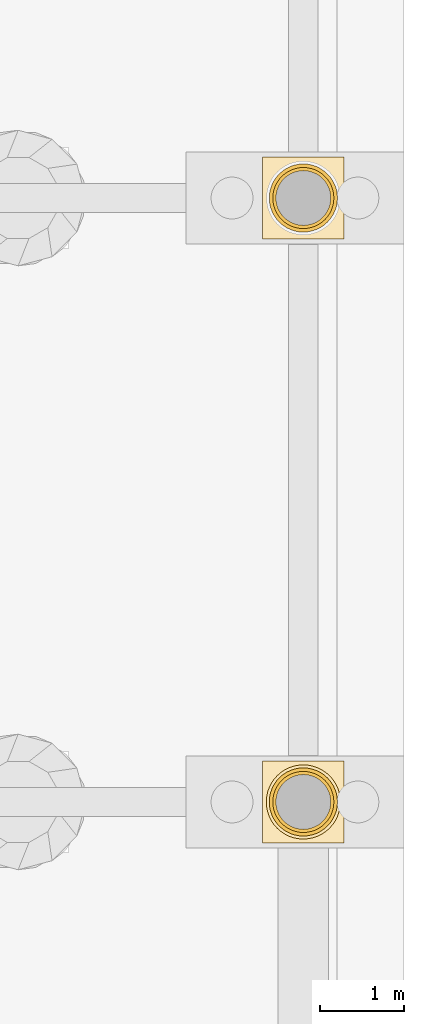
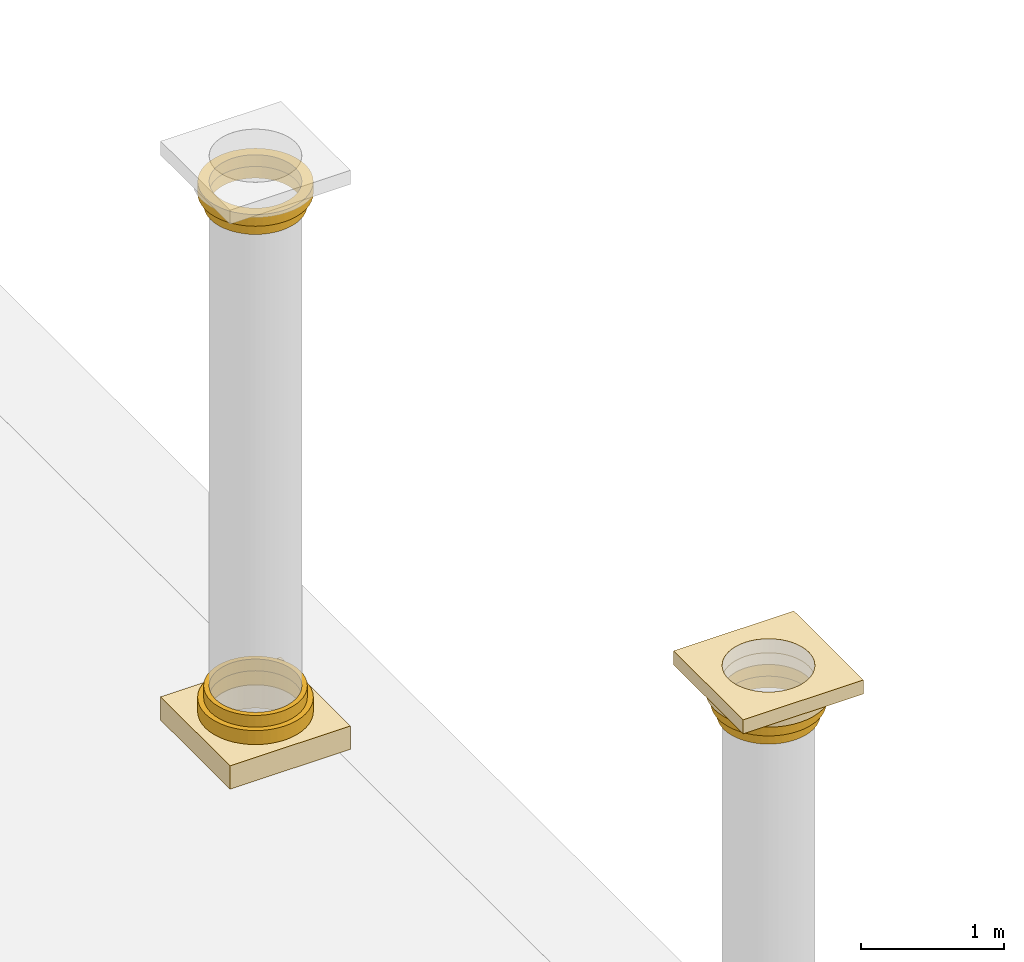
# One storey, part 67 of 80: 9 coverings.
"""IFC4 building model written with IfcOpenShell, lengths in metres."""

from ifc_helpers import new_model, si_unit, direction, frame, origin, place, context, subcontext, project, spatial, polyline, outline, extrude, material, type_object, element, save


model = new_model("IFC4")

# Units and contexts
model_context = context("Model", 3, precision=1e-05, world=origin(), true_north=direction((0.0, 1.0)))
body_context = subcontext(model_context, "Body", "Model", "MODEL_VIEW")
ifc_project = project(units=[si_unit("LENGTHUNIT", "METRE"), si_unit("AREAUNIT", "SQUARE_METRE"), si_unit("VOLUMEUNIT", "CUBIC_METRE"), si_unit("PLANEANGLEUNIT", "RADIAN"), si_unit("MASSUNIT", "GRAM", prefix="KILO")], contexts=[model_context])

# Site, building, storey
site_placement = place(None, origin())
site = spatial("IfcSite", under=ifc_project, at=site_placement, CompositionType="ELEMENT")
building_placement = place(site_placement, origin())
building = spatial("IfcBuilding", under=site, at=building_placement, Name="Ussher Court Research Institute", CompositionType="ELEMENT")
storey_placement = place(building_placement, origin())
storey = spatial("IfcBuildingStorey", under=building, at=storey_placement, Name="L00", CompositionType="ELEMENT", Elevation=0.0)

# Coverings
ifc_material_1 = material(Name="Limestone cornice", Category="masonry")
covering_type_1 = type_object("IfcCoveringType", Name="Column abacus 650 975x120", PredefinedType="CLADDING", material=ifc_material_1)
covering_1_placement = place(storey_placement, frame((0.0, 0.0, 4.840087890625)))
element("IfcCovering", 1, at=covering_1_placement, inside=storey, type_object=covering_type_1, Name="Column capital CC26", PredefinedType="CLADDING", context=body_context, shape_type="SweptSolid", body=[
    extrude(outline(polyline([(104.28759765625, 39.512451171875), (104.28759765625, 40.487548828125), (103.3125, 40.487548828125), (103.3125, 39.512451171875), (104.28759765625, 39.512451171875)]), holes=[polyline([(104.125732421875, 40.0), (104.122802734375, 40.04248046875), (104.114501953125, 40.084228515625), (104.100830078125, 40.12451171875), (104.08203125, 40.162841796875), (104.058349609375, 40.1982421875), (104.0302734375, 40.230224609375), (103.998291015625, 40.25830078125), (103.962890625, 40.281982421875), (103.924560546875, 40.30078125), (103.88427734375, 40.314697265625), (103.842529296875, 40.322998046875), (103.800048828125, 40.32568359375), (103.757568359375, 40.322998046875), (103.7158203125, 40.314697265625), (103.67529296875, 40.30078125), (103.63720703125, 40.281982421875), (103.601806640625, 40.25830078125), (103.569580078125, 40.230224609375), (103.54150390625, 40.1982421875), (103.517822265625, 40.162841796875), (103.4990234375, 40.12451171875), (103.4853515625, 40.084228515625), (103.47705078125, 40.04248046875), (103.474365234375, 40.0), (103.47705078125, 39.95751953125), (103.4853515625, 39.915771484375), (103.4990234375, 39.87548828125), (103.517822265625, 39.837158203125), (103.54150390625, 39.8017578125), (103.569580078125, 39.769775390625), (103.601806640625, 39.74169921875), (103.63720703125, 39.718017578125), (103.67529296875, 39.69921875), (103.7158203125, 39.685302734375), (103.757568359375, 39.677001953125), (103.800048828125, 39.67431640625), (103.842529296875, 39.677001953125), (103.88427734375, 39.685302734375), (103.924560546875, 39.69921875), (103.962890625, 39.718017578125), (103.998291015625, 39.74169921875), (104.0302734375, 39.769775390625), (104.058349609375, 39.8017578125), (104.08203125, 39.837158203125), (104.100830078125, 39.87548828125), (104.114501953125, 39.915771484375), (104.122802734375, 39.95751953125), (104.125732421875, 40.0)])]), origin(), (0.0, 0.0, 1.0), 0.119873046875),
])
ifc_material_2 = material(Name="Limestone cornice", Category="masonry")
covering_type_2 = type_object("IfcCoveringType", Name="Column base fillet 650 728x100", PredefinedType="CLADDING", material=ifc_material_2)
covering_2_placement = place(storey_placement, frame((0.0, 0.0, 0.320068359375)))
element("IfcCovering", 2, at=covering_2_placement, inside=storey, type_object=covering_type_2, Name="Column base CC22", PredefinedType="CLADDING", context=body_context, shape_type="SweptSolid", body=[
    extrude(outline(polyline([(104.1640625, 47.199951171875), (104.160888671875, 47.24755859375), (104.151611328125, 47.294189453125), (104.13623046875, 47.33935546875), (104.115234375, 47.382080078125), (104.0888671875, 47.421630859375), (104.057373046875, 47.45751953125), (104.021484375, 47.48876953125), (103.98193359375, 47.51513671875), (103.939208984375, 47.536376953125), (103.894287109375, 47.551513671875), (103.847412109375, 47.560791015625), (103.800048828125, 47.56396484375), (103.75244140625, 47.560791015625), (103.705810546875, 47.551513671875), (103.66064453125, 47.536376953125), (103.617919921875, 47.51513671875), (103.578369140625, 47.48876953125), (103.54248046875, 47.45751953125), (103.51123046875, 47.421630859375), (103.48486328125, 47.382080078125), (103.463623046875, 47.33935546875), (103.448486328125, 47.294189453125), (103.439208984375, 47.24755859375), (103.43603515625, 47.199951171875), (103.439208984375, 47.152587890625), (103.448486328125, 47.105712890625), (103.463623046875, 47.060791015625), (103.48486328125, 47.01806640625), (103.51123046875, 46.978515625), (103.54248046875, 46.942626953125), (103.578369140625, 46.9111328125), (103.617919921875, 46.884765625), (103.66064453125, 46.86376953125), (103.705810546875, 46.848388671875), (103.75244140625, 46.839111328125), (103.800048828125, 46.8359375), (103.847412109375, 46.839111328125), (103.894287109375, 46.848388671875), (103.939208984375, 46.86376953125), (103.98193359375, 46.884765625), (104.021484375, 46.9111328125), (104.057373046875, 46.942626953125), (104.0888671875, 46.978515625), (104.115234375, 47.01806640625), (104.13623046875, 47.060791015625), (104.151611328125, 47.105712890625), (104.160888671875, 47.152587890625), (104.1640625, 47.199951171875)]), holes=[polyline([(104.125732421875, 47.199951171875), (104.122802734375, 47.242431640625), (104.114501953125, 47.2841796875), (104.100830078125, 47.32470703125), (104.08203125, 47.36279296875), (104.058349609375, 47.398193359375), (104.0302734375, 47.430419921875), (103.998291015625, 47.45849609375), (103.962890625, 47.482177734375), (103.924560546875, 47.5009765625), (103.88427734375, 47.5146484375), (103.842529296875, 47.52294921875), (103.800048828125, 47.525634765625), (103.757568359375, 47.52294921875), (103.7158203125, 47.5146484375), (103.67529296875, 47.5009765625), (103.63720703125, 47.482177734375), (103.601806640625, 47.45849609375), (103.569580078125, 47.430419921875), (103.54150390625, 47.398193359375), (103.517822265625, 47.36279296875), (103.4990234375, 47.32470703125), (103.4853515625, 47.2841796875), (103.47705078125, 47.242431640625), (103.474365234375, 47.199951171875), (103.47705078125, 47.157470703125), (103.4853515625, 47.11572265625), (103.4990234375, 47.075439453125), (103.517822265625, 47.037109375), (103.54150390625, 47.001708984375), (103.569580078125, 46.9697265625), (103.601806640625, 46.941650390625), (103.63720703125, 46.91796875), (103.67529296875, 46.899169921875), (103.7158203125, 46.885498046875), (103.757568359375, 46.877197265625), (103.800048828125, 46.874267578125), (103.842529296875, 46.877197265625), (103.88427734375, 46.885498046875), (103.924560546875, 46.899169921875), (103.962890625, 46.91796875), (103.998291015625, 46.941650390625), (104.0302734375, 46.9697265625), (104.058349609375, 47.001708984375), (104.08203125, 47.037109375), (104.100830078125, 47.075439453125), (104.114501953125, 47.11572265625), (104.122802734375, 47.157470703125), (104.125732421875, 47.199951171875)])]), origin(), (0.0, 0.0, 1.0), 0.099853515625),
])
ifc_material_3 = material(Name="Limestone cornice", Category="masonry")
covering_type_3 = type_object("IfcCoveringType", Name="Column base torus 650 812x120", PredefinedType="CLADDING", material=ifc_material_3)
covering_3_placement = place(storey_placement, frame((0.0, 0.0, 0.199951171875)))
element("IfcCovering", 3, at=covering_3_placement, inside=storey, type_object=covering_type_3, Name="Column base CC21", PredefinedType="CLADDING", context=body_context, shape_type="SweptSolid", body=[
    extrude(outline(polyline([(104.206298828125, 47.199951171875), (104.20263671875, 47.2529296875), (104.1923828125, 47.30517578125), (104.17529296875, 47.35546875), (104.15185546875, 47.403076171875), (104.122314453125, 47.447265625), (104.087158203125, 47.4873046875), (104.04736328125, 47.522216796875), (104.003173828125, 47.5517578125), (103.955322265625, 47.5751953125), (103.905029296875, 47.59228515625), (103.85302734375, 47.602783203125), (103.800048828125, 47.606201171875), (103.7470703125, 47.602783203125), (103.69482421875, 47.59228515625), (103.64453125, 47.5751953125), (103.596923828125, 47.5517578125), (103.552734375, 47.522216796875), (103.5126953125, 47.4873046875), (103.477783203125, 47.447265625), (103.4482421875, 47.403076171875), (103.4248046875, 47.35546875), (103.40771484375, 47.30517578125), (103.397216796875, 47.2529296875), (103.393798828125, 47.199951171875), (103.397216796875, 47.14697265625), (103.40771484375, 47.094970703125), (103.4248046875, 47.044677734375), (103.4482421875, 46.996826171875), (103.477783203125, 46.95263671875), (103.5126953125, 46.912841796875), (103.552734375, 46.877685546875), (103.596923828125, 46.84814453125), (103.64453125, 46.82470703125), (103.69482421875, 46.8076171875), (103.7470703125, 46.79736328125), (103.800048828125, 46.793701171875), (103.85302734375, 46.79736328125), (103.905029296875, 46.8076171875), (103.955322265625, 46.82470703125), (104.003173828125, 46.84814453125), (104.04736328125, 46.877685546875), (104.087158203125, 46.912841796875), (104.122314453125, 46.95263671875), (104.15185546875, 46.996826171875), (104.17529296875, 47.044677734375), (104.1923828125, 47.094970703125), (104.20263671875, 47.14697265625), (104.206298828125, 47.199951171875)]), holes=[polyline([(104.125732421875, 47.199951171875), (104.122802734375, 47.242431640625), (104.114501953125, 47.2841796875), (104.100830078125, 47.32470703125), (104.08203125, 47.36279296875), (104.058349609375, 47.398193359375), (104.0302734375, 47.430419921875), (103.998291015625, 47.45849609375), (103.962890625, 47.482177734375), (103.924560546875, 47.5009765625), (103.88427734375, 47.5146484375), (103.842529296875, 47.52294921875), (103.800048828125, 47.525634765625), (103.757568359375, 47.52294921875), (103.7158203125, 47.5146484375), (103.67529296875, 47.5009765625), (103.63720703125, 47.482177734375), (103.601806640625, 47.45849609375), (103.569580078125, 47.430419921875), (103.54150390625, 47.398193359375), (103.517822265625, 47.36279296875), (103.4990234375, 47.32470703125), (103.4853515625, 47.2841796875), (103.47705078125, 47.242431640625), (103.474365234375, 47.199951171875), (103.47705078125, 47.157470703125), (103.4853515625, 47.11572265625), (103.4990234375, 47.075439453125), (103.517822265625, 47.037109375), (103.54150390625, 47.001708984375), (103.569580078125, 46.9697265625), (103.601806640625, 46.941650390625), (103.63720703125, 46.91796875), (103.67529296875, 46.899169921875), (103.7158203125, 46.885498046875), (103.757568359375, 46.877197265625), (103.800048828125, 46.874267578125), (103.842529296875, 46.877197265625), (103.88427734375, 46.885498046875), (103.924560546875, 46.899169921875), (103.962890625, 46.91796875), (103.998291015625, 46.941650390625), (104.0302734375, 46.9697265625), (104.058349609375, 47.001708984375), (104.08203125, 47.037109375), (104.100830078125, 47.075439453125), (104.114501953125, 47.11572265625), (104.122802734375, 47.157470703125), (104.125732421875, 47.199951171875)])]), origin(), (0.0, 0.0, 1.0), 0.1201171875),
])
ifc_material_4 = material(Name="Limestone cornice", Category="masonry")
covering_type_4 = type_object("IfcCoveringType", Name="Column capital echinus 650 812x100", PredefinedType="CLADDING", material=ifc_material_4)
covering_4_placement = place(storey_placement, frame((0.0, 0.0, 4.639892578125)))
element("IfcCovering", 4, at=covering_4_placement, inside=storey, type_object=covering_type_4, Name="Column capital CC24", PredefinedType="CLADDING", context=body_context, shape_type="SweptSolid", body=[
    extrude(outline(polyline([(104.206298828125, 40.0), (104.20263671875, 40.052978515625), (104.1923828125, 40.10498046875), (104.17529296875, 40.155517578125), (104.15185546875, 40.203125), (104.122314453125, 40.247314453125), (104.087158203125, 40.287109375), (104.04736328125, 40.322265625), (104.003173828125, 40.351806640625), (103.955322265625, 40.375244140625), (103.905029296875, 40.392333984375), (103.85302734375, 40.402587890625), (103.800048828125, 40.40625), (103.7470703125, 40.402587890625), (103.69482421875, 40.392333984375), (103.64453125, 40.375244140625), (103.596923828125, 40.351806640625), (103.552734375, 40.322265625), (103.5126953125, 40.287109375), (103.477783203125, 40.247314453125), (103.4482421875, 40.203125), (103.4248046875, 40.155517578125), (103.40771484375, 40.10498046875), (103.397216796875, 40.052978515625), (103.393798828125, 40.0), (103.397216796875, 39.947021484375), (103.40771484375, 39.89501953125), (103.4248046875, 39.844482421875), (103.4482421875, 39.796875), (103.477783203125, 39.752685546875), (103.5126953125, 39.712890625), (103.552734375, 39.677734375), (103.596923828125, 39.648193359375), (103.64453125, 39.624755859375), (103.69482421875, 39.607666015625), (103.7470703125, 39.597412109375), (103.800048828125, 39.59375), (103.85302734375, 39.597412109375), (103.905029296875, 39.607666015625), (103.955322265625, 39.624755859375), (104.003173828125, 39.648193359375), (104.04736328125, 39.677734375), (104.087158203125, 39.712890625), (104.122314453125, 39.752685546875), (104.15185546875, 39.796875), (104.17529296875, 39.844482421875), (104.1923828125, 39.89501953125), (104.20263671875, 39.947021484375), (104.206298828125, 40.0)]), holes=[polyline([(104.125732421875, 40.0), (104.122802734375, 40.04248046875), (104.114501953125, 40.084228515625), (104.100830078125, 40.12451171875), (104.08203125, 40.162841796875), (104.058349609375, 40.1982421875), (104.0302734375, 40.230224609375), (103.998291015625, 40.25830078125), (103.962890625, 40.281982421875), (103.924560546875, 40.30078125), (103.88427734375, 40.314697265625), (103.842529296875, 40.322998046875), (103.800048828125, 40.32568359375), (103.757568359375, 40.322998046875), (103.7158203125, 40.314697265625), (103.67529296875, 40.30078125), (103.63720703125, 40.281982421875), (103.601806640625, 40.25830078125), (103.569580078125, 40.230224609375), (103.54150390625, 40.1982421875), (103.517822265625, 40.162841796875), (103.4990234375, 40.12451171875), (103.4853515625, 40.084228515625), (103.47705078125, 40.04248046875), (103.474365234375, 40.0), (103.47705078125, 39.95751953125), (103.4853515625, 39.915771484375), (103.4990234375, 39.87548828125), (103.517822265625, 39.837158203125), (103.54150390625, 39.8017578125), (103.569580078125, 39.769775390625), (103.601806640625, 39.74169921875), (103.63720703125, 39.718017578125), (103.67529296875, 39.69921875), (103.7158203125, 39.685302734375), (103.757568359375, 39.677001953125), (103.800048828125, 39.67431640625), (103.842529296875, 39.677001953125), (103.88427734375, 39.685302734375), (103.924560546875, 39.69921875), (103.962890625, 39.718017578125), (103.998291015625, 39.74169921875), (104.0302734375, 39.769775390625), (104.058349609375, 39.8017578125), (104.08203125, 39.837158203125), (104.100830078125, 39.87548828125), (104.114501953125, 39.915771484375), (104.122802734375, 39.95751953125), (104.125732421875, 40.0)])]), origin(), (0.0, 0.0, 1.0), 0.10009765625),
])
covering_5_placement = place(storey_placement, frame((0.0, 0.0, 4.639892578125)))
element("IfcCovering", 5, at=covering_5_placement, inside=storey, type_object=covering_type_4, Name="Column capital CC24", PredefinedType="CLADDING", context=body_context, shape_type="SweptSolid", body=[
    extrude(outline(polyline([(104.206298828125, 47.199951171875), (104.20263671875, 47.2529296875), (104.1923828125, 47.30517578125), (104.17529296875, 47.35546875), (104.15185546875, 47.403076171875), (104.122314453125, 47.447265625), (104.087158203125, 47.4873046875), (104.04736328125, 47.522216796875), (104.003173828125, 47.5517578125), (103.955322265625, 47.5751953125), (103.905029296875, 47.59228515625), (103.85302734375, 47.602783203125), (103.800048828125, 47.606201171875), (103.7470703125, 47.602783203125), (103.69482421875, 47.59228515625), (103.64453125, 47.5751953125), (103.596923828125, 47.5517578125), (103.552734375, 47.522216796875), (103.5126953125, 47.4873046875), (103.477783203125, 47.447265625), (103.4482421875, 47.403076171875), (103.4248046875, 47.35546875), (103.40771484375, 47.30517578125), (103.397216796875, 47.2529296875), (103.393798828125, 47.199951171875), (103.397216796875, 47.14697265625), (103.40771484375, 47.094970703125), (103.4248046875, 47.044677734375), (103.4482421875, 46.996826171875), (103.477783203125, 46.95263671875), (103.5126953125, 46.912841796875), (103.552734375, 46.877685546875), (103.596923828125, 46.84814453125), (103.64453125, 46.82470703125), (103.69482421875, 46.8076171875), (103.7470703125, 46.79736328125), (103.800048828125, 46.793701171875), (103.85302734375, 46.79736328125), (103.905029296875, 46.8076171875), (103.955322265625, 46.82470703125), (104.003173828125, 46.84814453125), (104.04736328125, 46.877685546875), (104.087158203125, 46.912841796875), (104.122314453125, 46.95263671875), (104.15185546875, 46.996826171875), (104.17529296875, 47.044677734375), (104.1923828125, 47.094970703125), (104.20263671875, 47.14697265625), (104.206298828125, 47.199951171875)]), holes=[polyline([(104.125732421875, 47.199951171875), (104.122802734375, 47.242431640625), (104.114501953125, 47.2841796875), (104.100830078125, 47.32470703125), (104.08203125, 47.36279296875), (104.058349609375, 47.398193359375), (104.0302734375, 47.430419921875), (103.998291015625, 47.45849609375), (103.962890625, 47.482177734375), (103.924560546875, 47.5009765625), (103.88427734375, 47.5146484375), (103.842529296875, 47.52294921875), (103.800048828125, 47.525634765625), (103.757568359375, 47.52294921875), (103.7158203125, 47.5146484375), (103.67529296875, 47.5009765625), (103.63720703125, 47.482177734375), (103.601806640625, 47.45849609375), (103.569580078125, 47.430419921875), (103.54150390625, 47.398193359375), (103.517822265625, 47.36279296875), (103.4990234375, 47.32470703125), (103.4853515625, 47.2841796875), (103.47705078125, 47.242431640625), (103.474365234375, 47.199951171875), (103.47705078125, 47.157470703125), (103.4853515625, 47.11572265625), (103.4990234375, 47.075439453125), (103.517822265625, 47.037109375), (103.54150390625, 47.001708984375), (103.569580078125, 46.9697265625), (103.601806640625, 46.941650390625), (103.63720703125, 46.91796875), (103.67529296875, 46.899169921875), (103.7158203125, 46.885498046875), (103.757568359375, 46.877197265625), (103.800048828125, 46.874267578125), (103.842529296875, 46.877197265625), (103.88427734375, 46.885498046875), (103.924560546875, 46.899169921875), (103.962890625, 46.91796875), (103.998291015625, 46.941650390625), (104.0302734375, 46.9697265625), (104.058349609375, 47.001708984375), (104.08203125, 47.037109375), (104.100830078125, 47.075439453125), (104.114501953125, 47.11572265625), (104.122802734375, 47.157470703125), (104.125732421875, 47.199951171875)])]), origin(), (0.0, 0.0, 1.0), 0.10009765625),
])
ifc_material_5 = material(Name="Limestone cornice", Category="masonry")
covering_type_5 = type_object("IfcCoveringType", Name="Column capital neck 650 728x100", PredefinedType="CLADDING", material=ifc_material_5)
covering_6_placement = place(storey_placement, frame((0.0, 0.0, 4.5400390625)))
element("IfcCovering", 6, at=covering_6_placement, inside=storey, type_object=covering_type_5, Name="Column capital CC23", PredefinedType="CLADDING", context=body_context, shape_type="SweptSolid", body=[
    extrude(outline(polyline([(104.1640625, 40.0), (104.160888671875, 40.047607421875), (104.151611328125, 40.09423828125), (104.13623046875, 40.139404296875), (104.115234375, 40.181884765625), (104.0888671875, 40.2216796875), (104.057373046875, 40.25732421875), (104.021484375, 40.288818359375), (103.98193359375, 40.315185546875), (103.939208984375, 40.336181640625), (103.894287109375, 40.3515625), (103.847412109375, 40.36083984375), (103.800048828125, 40.364013671875), (103.75244140625, 40.36083984375), (103.705810546875, 40.3515625), (103.66064453125, 40.336181640625), (103.617919921875, 40.315185546875), (103.578369140625, 40.288818359375), (103.54248046875, 40.25732421875), (103.51123046875, 40.2216796875), (103.48486328125, 40.181884765625), (103.463623046875, 40.139404296875), (103.448486328125, 40.09423828125), (103.439208984375, 40.047607421875), (103.43603515625, 40.0), (103.439208984375, 39.952392578125), (103.448486328125, 39.90576171875), (103.463623046875, 39.860595703125), (103.48486328125, 39.818115234375), (103.51123046875, 39.7783203125), (103.54248046875, 39.74267578125), (103.578369140625, 39.711181640625), (103.617919921875, 39.684814453125), (103.66064453125, 39.663818359375), (103.705810546875, 39.6484375), (103.75244140625, 39.63916015625), (103.800048828125, 39.635986328125), (103.847412109375, 39.63916015625), (103.894287109375, 39.6484375), (103.939208984375, 39.663818359375), (103.98193359375, 39.684814453125), (104.021484375, 39.711181640625), (104.057373046875, 39.74267578125), (104.0888671875, 39.7783203125), (104.115234375, 39.818115234375), (104.13623046875, 39.860595703125), (104.151611328125, 39.90576171875), (104.160888671875, 39.952392578125), (104.1640625, 40.0)]), holes=[polyline([(104.125732421875, 40.0), (104.122802734375, 40.04248046875), (104.114501953125, 40.084228515625), (104.100830078125, 40.12451171875), (104.08203125, 40.162841796875), (104.058349609375, 40.1982421875), (104.0302734375, 40.230224609375), (103.998291015625, 40.25830078125), (103.962890625, 40.281982421875), (103.924560546875, 40.30078125), (103.88427734375, 40.314697265625), (103.842529296875, 40.322998046875), (103.800048828125, 40.32568359375), (103.757568359375, 40.322998046875), (103.7158203125, 40.314697265625), (103.67529296875, 40.30078125), (103.63720703125, 40.281982421875), (103.601806640625, 40.25830078125), (103.569580078125, 40.230224609375), (103.54150390625, 40.1982421875), (103.517822265625, 40.162841796875), (103.4990234375, 40.12451171875), (103.4853515625, 40.084228515625), (103.47705078125, 40.04248046875), (103.474365234375, 40.0), (103.47705078125, 39.95751953125), (103.4853515625, 39.915771484375), (103.4990234375, 39.87548828125), (103.517822265625, 39.837158203125), (103.54150390625, 39.8017578125), (103.569580078125, 39.769775390625), (103.601806640625, 39.74169921875), (103.63720703125, 39.718017578125), (103.67529296875, 39.69921875), (103.7158203125, 39.685302734375), (103.757568359375, 39.677001953125), (103.800048828125, 39.67431640625), (103.842529296875, 39.677001953125), (103.88427734375, 39.685302734375), (103.924560546875, 39.69921875), (103.962890625, 39.718017578125), (103.998291015625, 39.74169921875), (104.0302734375, 39.769775390625), (104.058349609375, 39.8017578125), (104.08203125, 39.837158203125), (104.100830078125, 39.87548828125), (104.114501953125, 39.915771484375), (104.122802734375, 39.95751953125), (104.125732421875, 40.0)])]), origin(), (0.0, 0.0, 1.0), 0.099853515625),
])
covering_7_placement = place(storey_placement, frame((0.0, 0.0, 4.5400390625)))
element("IfcCovering", 7, at=covering_7_placement, inside=storey, type_object=covering_type_5, Name="Column capital CC23", PredefinedType="CLADDING", context=body_context, shape_type="SweptSolid", body=[
    extrude(outline(polyline([(104.1640625, 47.199951171875), (104.160888671875, 47.24755859375), (104.151611328125, 47.294189453125), (104.13623046875, 47.33935546875), (104.115234375, 47.382080078125), (104.0888671875, 47.421630859375), (104.057373046875, 47.45751953125), (104.021484375, 47.48876953125), (103.98193359375, 47.51513671875), (103.939208984375, 47.536376953125), (103.894287109375, 47.551513671875), (103.847412109375, 47.560791015625), (103.800048828125, 47.56396484375), (103.75244140625, 47.560791015625), (103.705810546875, 47.551513671875), (103.66064453125, 47.536376953125), (103.617919921875, 47.51513671875), (103.578369140625, 47.48876953125), (103.54248046875, 47.45751953125), (103.51123046875, 47.421630859375), (103.48486328125, 47.382080078125), (103.463623046875, 47.33935546875), (103.448486328125, 47.294189453125), (103.439208984375, 47.24755859375), (103.43603515625, 47.199951171875), (103.439208984375, 47.152587890625), (103.448486328125, 47.105712890625), (103.463623046875, 47.060791015625), (103.48486328125, 47.01806640625), (103.51123046875, 46.978515625), (103.54248046875, 46.942626953125), (103.578369140625, 46.9111328125), (103.617919921875, 46.884765625), (103.66064453125, 46.86376953125), (103.705810546875, 46.848388671875), (103.75244140625, 46.839111328125), (103.800048828125, 46.8359375), (103.847412109375, 46.839111328125), (103.894287109375, 46.848388671875), (103.939208984375, 46.86376953125), (103.98193359375, 46.884765625), (104.021484375, 46.9111328125), (104.057373046875, 46.942626953125), (104.0888671875, 46.978515625), (104.115234375, 47.01806640625), (104.13623046875, 47.060791015625), (104.151611328125, 47.105712890625), (104.160888671875, 47.152587890625), (104.1640625, 47.199951171875)]), holes=[polyline([(104.125732421875, 47.199951171875), (104.122802734375, 47.242431640625), (104.114501953125, 47.2841796875), (104.100830078125, 47.32470703125), (104.08203125, 47.36279296875), (104.058349609375, 47.398193359375), (104.0302734375, 47.430419921875), (103.998291015625, 47.45849609375), (103.962890625, 47.482177734375), (103.924560546875, 47.5009765625), (103.88427734375, 47.5146484375), (103.842529296875, 47.52294921875), (103.800048828125, 47.525634765625), (103.757568359375, 47.52294921875), (103.7158203125, 47.5146484375), (103.67529296875, 47.5009765625), (103.63720703125, 47.482177734375), (103.601806640625, 47.45849609375), (103.569580078125, 47.430419921875), (103.54150390625, 47.398193359375), (103.517822265625, 47.36279296875), (103.4990234375, 47.32470703125), (103.4853515625, 47.2841796875), (103.47705078125, 47.242431640625), (103.474365234375, 47.199951171875), (103.47705078125, 47.157470703125), (103.4853515625, 47.11572265625), (103.4990234375, 47.075439453125), (103.517822265625, 47.037109375), (103.54150390625, 47.001708984375), (103.569580078125, 46.9697265625), (103.601806640625, 46.941650390625), (103.63720703125, 46.91796875), (103.67529296875, 46.899169921875), (103.7158203125, 46.885498046875), (103.757568359375, 46.877197265625), (103.800048828125, 46.874267578125), (103.842529296875, 46.877197265625), (103.88427734375, 46.885498046875), (103.924560546875, 46.899169921875), (103.962890625, 46.91796875), (103.998291015625, 46.941650390625), (104.0302734375, 46.9697265625), (104.058349609375, 47.001708984375), (104.08203125, 47.037109375), (104.100830078125, 47.075439453125), (104.114501953125, 47.11572265625), (104.122802734375, 47.157470703125), (104.125732421875, 47.199951171875)])]), origin(), (0.0, 0.0, 1.0), 0.099853515625),
])
ifc_material_6 = material(Name="Limestone cornice", Category="masonry")
covering_type_6 = type_object("IfcCoveringType", Name="Column capital ovolo 650 884x100", PredefinedType="CLADDING", material=ifc_material_6)
covering_8_placement = place(storey_placement, frame((0.0, 0.0, 4.739990234375)))
element("IfcCovering", 8, at=covering_8_placement, inside=storey, type_object=covering_type_6, Name="Column capital CC25", PredefinedType="CLADDING", context=body_context, shape_type="SweptSolid", body=[
    extrude(outline(polyline([(104.241943359375, 40.0), (104.23828125, 40.0576171875), (104.226806640625, 40.114501953125), (104.20849609375, 40.169189453125), (104.182861328125, 40.220947265625), (104.150634765625, 40.26904296875), (104.112548828125, 40.3125), (104.069091796875, 40.3505859375), (104.02099609375, 40.3828125), (103.968994140625, 40.408447265625), (103.914306640625, 40.427001953125), (103.857666015625, 40.438232421875), (103.800048828125, 40.44189453125), (103.7421875, 40.438232421875), (103.685546875, 40.427001953125), (103.630859375, 40.408447265625), (103.5791015625, 40.3828125), (103.531005859375, 40.3505859375), (103.487548828125, 40.3125), (103.44921875, 40.26904296875), (103.417236328125, 40.220947265625), (103.3916015625, 40.169189453125), (103.373046875, 40.114501953125), (103.36181640625, 40.0576171875), (103.35791015625, 40.0), (103.36181640625, 39.9423828125), (103.373046875, 39.885498046875), (103.3916015625, 39.830810546875), (103.417236328125, 39.779052734375), (103.44921875, 39.73095703125), (103.487548828125, 39.6875), (103.531005859375, 39.6494140625), (103.5791015625, 39.6171875), (103.630859375, 39.591552734375), (103.685546875, 39.572998046875), (103.7421875, 39.561767578125), (103.800048828125, 39.55810546875), (103.857666015625, 39.561767578125), (103.914306640625, 39.572998046875), (103.968994140625, 39.591552734375), (104.02099609375, 39.6171875), (104.069091796875, 39.6494140625), (104.112548828125, 39.6875), (104.150634765625, 39.73095703125), (104.182861328125, 39.779052734375), (104.20849609375, 39.830810546875), (104.226806640625, 39.885498046875), (104.23828125, 39.9423828125), (104.241943359375, 40.0)]), holes=[polyline([(104.125732421875, 40.0), (104.122802734375, 40.04248046875), (104.114501953125, 40.084228515625), (104.100830078125, 40.12451171875), (104.08203125, 40.162841796875), (104.058349609375, 40.1982421875), (104.0302734375, 40.230224609375), (103.998291015625, 40.25830078125), (103.962890625, 40.281982421875), (103.924560546875, 40.30078125), (103.88427734375, 40.314697265625), (103.842529296875, 40.322998046875), (103.800048828125, 40.32568359375), (103.757568359375, 40.322998046875), (103.7158203125, 40.314697265625), (103.67529296875, 40.30078125), (103.63720703125, 40.281982421875), (103.601806640625, 40.25830078125), (103.569580078125, 40.230224609375), (103.54150390625, 40.1982421875), (103.517822265625, 40.162841796875), (103.4990234375, 40.12451171875), (103.4853515625, 40.084228515625), (103.47705078125, 40.04248046875), (103.474365234375, 40.0), (103.47705078125, 39.95751953125), (103.4853515625, 39.915771484375), (103.4990234375, 39.87548828125), (103.517822265625, 39.837158203125), (103.54150390625, 39.8017578125), (103.569580078125, 39.769775390625), (103.601806640625, 39.74169921875), (103.63720703125, 39.718017578125), (103.67529296875, 39.69921875), (103.7158203125, 39.685302734375), (103.757568359375, 39.677001953125), (103.800048828125, 39.67431640625), (103.842529296875, 39.677001953125), (103.88427734375, 39.685302734375), (103.924560546875, 39.69921875), (103.962890625, 39.718017578125), (103.998291015625, 39.74169921875), (104.0302734375, 39.769775390625), (104.058349609375, 39.8017578125), (104.08203125, 39.837158203125), (104.100830078125, 39.87548828125), (104.114501953125, 39.915771484375), (104.122802734375, 39.95751953125), (104.125732421875, 40.0)])]), origin(), (0.0, 0.0, 1.0), 0.10009765625),
])
ifc_material_7 = material(Name="Limestone cornice", Category="masonry")
covering_type_7 = type_object("IfcCoveringType", Name="Column plinth 650 975x200", PredefinedType="CLADDING", material=ifc_material_7)
covering_9_placement = place(storey_placement, origin())
element("IfcCovering", 9, at=covering_9_placement, inside=storey, type_object=covering_type_7, Name="Column base CC20", PredefinedType="CLADDING", context=body_context, shape_type="SweptSolid", body=[
    extrude(outline(polyline([(104.28759765625, 46.71240234375), (104.28759765625, 47.6875), (103.3125, 47.6875), (103.3125, 46.71240234375), (104.28759765625, 46.71240234375)]), holes=[polyline([(104.125732421875, 47.199951171875), (104.122802734375, 47.242431640625), (104.114501953125, 47.2841796875), (104.100830078125, 47.32470703125), (104.08203125, 47.36279296875), (104.058349609375, 47.398193359375), (104.0302734375, 47.430419921875), (103.998291015625, 47.45849609375), (103.962890625, 47.482177734375), (103.924560546875, 47.5009765625), (103.88427734375, 47.5146484375), (103.842529296875, 47.52294921875), (103.800048828125, 47.525634765625), (103.757568359375, 47.52294921875), (103.7158203125, 47.5146484375), (103.67529296875, 47.5009765625), (103.63720703125, 47.482177734375), (103.601806640625, 47.45849609375), (103.569580078125, 47.430419921875), (103.54150390625, 47.398193359375), (103.517822265625, 47.36279296875), (103.4990234375, 47.32470703125), (103.4853515625, 47.2841796875), (103.47705078125, 47.242431640625), (103.474365234375, 47.199951171875), (103.47705078125, 47.157470703125), (103.4853515625, 47.11572265625), (103.4990234375, 47.075439453125), (103.517822265625, 47.037109375), (103.54150390625, 47.001708984375), (103.569580078125, 46.9697265625), (103.601806640625, 46.941650390625), (103.63720703125, 46.91796875), (103.67529296875, 46.899169921875), (103.7158203125, 46.885498046875), (103.757568359375, 46.877197265625), (103.800048828125, 46.874267578125), (103.842529296875, 46.877197265625), (103.88427734375, 46.885498046875), (103.924560546875, 46.899169921875), (103.962890625, 46.91796875), (103.998291015625, 46.941650390625), (104.0302734375, 46.9697265625), (104.058349609375, 47.001708984375), (104.08203125, 47.037109375), (104.100830078125, 47.075439453125), (104.114501953125, 47.11572265625), (104.122802734375, 47.157470703125), (104.125732421875, 47.199951171875)])]), origin(), (0.0, 0.0, 1.0), 0.199951171875),
])

save(model, "model.ifc")
